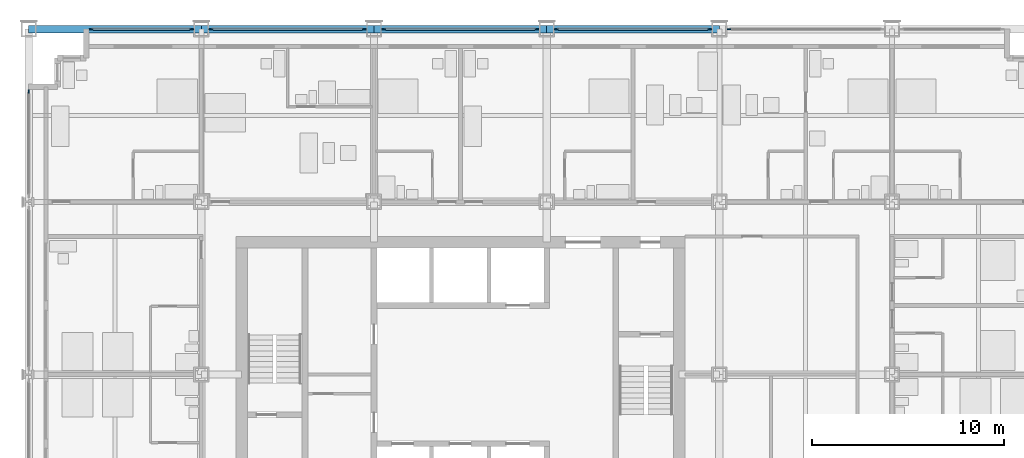
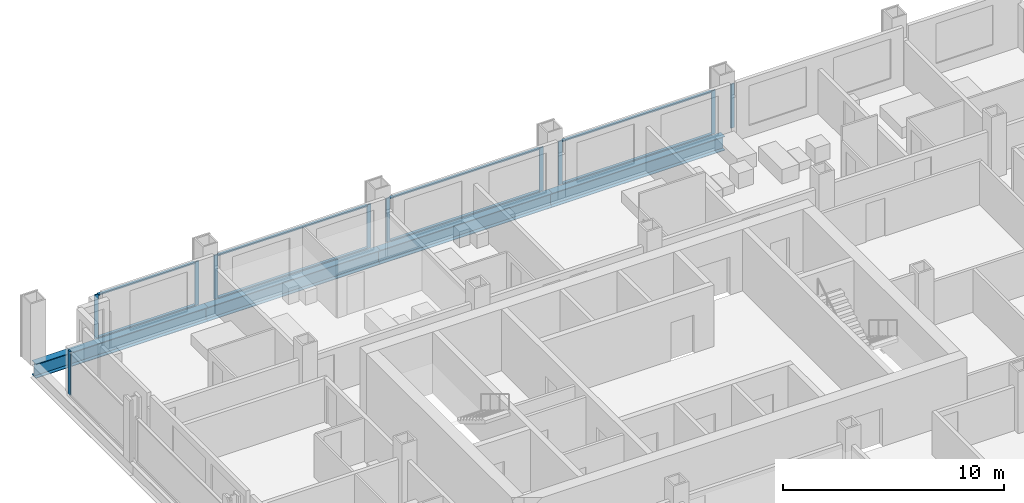
# One storey, part 7 of 18: 18 members, 4 beams, 6 elements without a shape of their own.
"""IFC4 building model written with IfcOpenShell, lengths in metres."""

import ifcopenshell
import ifcopenshell.guid

model = None  # the IFC model being written
_history = None  # IfcOwnerHistory: only IFC2X3 demands one
_inside = {}  # id of a spatial element -> (the spatial element, [elements in it])
_under = {}  # id of a project, library or spatial element -> (it, [spatial elements below it])
_declared = {}  # id of a project -> (the project, [libraries it declares])
_typed = {}  # id of a type object -> (the type object, [elements of that type])
_made_of = {}  # id of a material, layer set ... -> (it, [elements and type objects made of it])


def new_model(schema):
    """Start an empty IFC model of exactly this schema.

    Asked for "IFC4X3", IfcOpenShell would pick the latest addendum, in which some entities
    have other attributes; the version numbers below select the first issue.
    IFC2X3 requires an IfcOwnerHistory on every rooted entity: one is made here for all.
    """
    global model, _history
    if schema == "IFC4X3":
        model = ifcopenshell.file(schema_version=(4, 3, 0, 0))
    else:
        model = ifcopenshell.file(schema=schema)
    _inside.clear()
    _under.clear()
    _declared.clear()
    _typed.clear()
    _made_of.clear()
    _history = None
    if model.schema == "IFC2X3":
        org = make("IfcOrganization", Name="unknown")
        user = make(
            "IfcPersonAndOrganization",
            ThePerson=make("IfcPerson", FamilyName="unknown"),
            TheOrganization=org,
        )
        app = make(
            "IfcApplication",
            ApplicationDeveloper=org,
            Version="unknown",
            ApplicationFullName="unknown",
            ApplicationIdentifier="unknown",
        )
        _history = make(
            "IfcOwnerHistory",
            OwningUser=user,
            OwningApplication=app,
            ChangeAction="ADDED",
            CreationDate=0,
        )
    return model


def make(cls, **values):
    """One entity of the class cls with the attributes given. An attribute that is None is left unset."""
    return model.create_entity(
        cls, **{name: value for name, value in values.items() if value is not None}
    )


def rooted(cls, **values):
    """An entity with a GlobalId (a new one), such as an element, a storey or a relation."""
    return make(cls, GlobalId=ifcopenshell.guid.new(), OwnerHistory=_history, **values)


def si_unit(unit_type, name, prefix=None):
    """IfcSIUnit, for example si_unit("LENGTHUNIT", "METRE", prefix="MILLI")."""
    return make("IfcSIUnit", UnitType=unit_type, Prefix=prefix, Name=name)


def assignment(units):
    """IfcUnitAssignment: the units of a project."""
    return None if units is None else make("IfcUnitAssignment", Units=units)


def point(xyz):
    """IfcCartesianPoint."""
    return None if xyz is None else make("IfcCartesianPoint", Coordinates=xyz)


def direction(xyz):
    """IfcDirection."""
    return None if xyz is None else make("IfcDirection", DirectionRatios=xyz)


def frame(location, z_axis=None, x_axis=None):
    """IfcAxis2Placement3D, a coordinate frame: its origin and axes. An axis left out is left unset."""
    return make(
        "IfcAxis2Placement3D",
        Location=point(location),
        Axis=direction(z_axis),
        RefDirection=direction(x_axis),
    )


def frame_2d(location, x_axis=None):
    """IfcAxis2Placement2D, a coordinate frame in the plane: its origin and x axis."""
    return make(
        "IfcAxis2Placement2D", Location=point(location), RefDirection=direction(x_axis)
    )


def origin():
    """The frame at (0, 0, 0) with its axes left unset."""
    return frame((0.0, 0.0, 0.0))


def origin_2d():
    """The frame at (0, 0) in the plane with its x axis left unset."""
    return frame_2d((0.0, 0.0))


def place(relative_to, where):
    """IfcLocalPlacement: puts the frame where relative to a parent placement (None: the world)."""
    return make(
        "IfcLocalPlacement", PlacementRelTo=relative_to, RelativePlacement=where
    )


def context(
    kind, dimensions, precision=None, world=None, true_north=None, identifier=None
):
    """IfcGeometricRepresentationContext, for example the 3D "Model" context."""
    return make(
        "IfcGeometricRepresentationContext",
        ContextIdentifier=identifier,
        ContextType=kind,
        CoordinateSpaceDimension=dimensions,
        Precision=precision,
        WorldCoordinateSystem=world,
        TrueNorth=true_north,
    )


def subcontext(parent, identifier, kind, view, scale=None):
    """IfcGeometricRepresentationSubContext, for example "Body" below "Model"."""
    return make(
        "IfcGeometricRepresentationSubContext",
        ContextIdentifier=identifier,
        ContextType=kind,
        ParentContext=parent,
        TargetScale=scale,
        TargetView=view,
    )


def project(units=None, contexts=None):
    """IfcProject with its units and contexts."""
    return rooted(
        "IfcProject",
        Name="project",
        RepresentationContexts=contexts,
        UnitsInContext=assignment(units),
    )


def spatial(cls, under=None, at=None, **own):
    """A site, building, storey or space (cls), placed at a placement, below another one or the project."""
    s = rooted(cls, ObjectPlacement=at, **own)
    if under is not None:
        _under.setdefault(under.id(), (under, []))[1].append(s)
    return s


def profile(cls, at=None, kind="AREA", **sizes):
    """A parametric profile (cls). Its sizes go by their IFC names, for example OverallWidth=200.0."""
    return make(cls, ProfileType=kind, Position=at, **sizes)


def rectangle(**sizes):
    """IfcRectangleProfileDef."""
    return profile("IfcRectangleProfileDef", **sizes)


def i_section(**sizes):
    """IfcIShapeProfileDef."""
    return profile("IfcIShapeProfileDef", **sizes)


def extrude(swept, where, along, depth):
    """IfcExtrudedAreaSolid: the profile swept, set in the frame where, extruded along a direction by depth."""
    return make(
        "IfcExtrudedAreaSolid",
        SweptArea=swept,
        Position=where,
        ExtrudedDirection=direction(along),
        Depth=depth,
    )


def shape(context_of_items, identifier, shape_type, items):
    """IfcShapeRepresentation: the items that make up one representation, for example the "Body"."""
    return make(
        "IfcShapeRepresentation",
        ContextOfItems=context_of_items,
        RepresentationIdentifier=identifier,
        RepresentationType=shape_type,
        Items=items,
    )


def material(Name=None, Category=None):
    """IfcMaterial."""
    return make("IfcMaterial", Name=Name, Category=Category)


def material_profile(
    of_material, cross_section, Name=None, Category=None, Priority=None
):
    """IfcMaterialProfile: a cross section and its material."""
    return make(
        "IfcMaterialProfile",
        Name=Name,
        Material=of_material,
        Profile=cross_section,
        Priority=Priority,
        Category=Category,
    )


def profile_set(profiles, Name=None, composite=None):
    """IfcMaterialProfileSet."""
    return make(
        "IfcMaterialProfileSet",
        Name=Name,
        MaterialProfiles=profiles,
        CompositeProfile=composite,
    )


def made_of(thing, what):
    """Note that an element or type object is made of a material, layer set ...; save() writes the relation."""
    if what is not None:
        _made_of.setdefault(what.id(), (what, []))[1].append(thing)
    return thing


def type_object(cls, material=None, **own):
    """A type object (cls), such as IfcWallType, which elements share."""
    return made_of(rooted(cls, **own), material)


def element(
    cls,
    number,
    at=None,
    inside=None,
    cuts=None,
    type_object=None,
    material=None,
    context=None,
    identifier="Body",
    shape_type=None,
    held_by="IfcProductDefinitionShape",
    body=None,
    shapes=None,
    **own,
):
    """One element of the class cls, such as IfcWall. Its Tag is "e" and its number.

    at: its placement. inside: the storey or other place that contains it. cuts: it is an
    opening in that element (IfcRelVoidsElement). A single representation is given by context,
    identifier, shape_type and body (its items); several are given by shapes. held_by: the class
    of the entity that holds the representations. save() writes the other relations.
    """
    e = rooted(cls, Tag="e%d" % number, ObjectPlacement=at, **own)
    if body is not None:
        shapes = [shape(context, identifier, shape_type, body)]
    if shapes is not None:
        e.Representation = make(held_by, Representations=shapes)
    if inside is not None:
        _inside.setdefault(inside.id(), (inside, []))[1].append(e)
    if cuts is not None:
        rooted(
            "IfcRelVoidsElement", RelatingBuildingElement=cuts, RelatedOpeningElement=e
        )
    if type_object is not None:
        _typed.setdefault(type_object.id(), (type_object, []))[1].append(e)
    return made_of(e, material)


def aggregate(whole, parts):
    """IfcRelAggregates: a whole, such as a stair, and the parts it consists of."""
    return rooted("IfcRelAggregates", RelatingObject=whole, RelatedObjects=parts)


def save(model, path):
    """Write the relations noted so far, then the file.

    IfcRelAggregates (storeys below a building ...), IfcRelContainedInSpatialStructure (elements
    in a storey), IfcRelDefinesByType, IfcRelAssociatesMaterial and IfcRelDeclares: one each for
    every whole, place, type object, material and project.
    """
    for whole, parts in _under.values():
        aggregate(whole, parts)
    for where, things in _inside.values():
        rooted(
            "IfcRelContainedInSpatialStructure",
            RelatedElements=things,
            RelatingStructure=where,
        )
    for kind, things in _typed.values():
        rooted("IfcRelDefinesByType", RelatedObjects=things, RelatingType=kind)
    for what, things in _made_of.values():
        rooted("IfcRelAssociatesMaterial", RelatedObjects=things, RelatingMaterial=what)
    for by, libraries in _declared.values():
        rooted("IfcRelDeclares", RelatingContext=by, RelatedDefinitions=libraries)
    model.write(path)


model = new_model("IFC4")

# Units and contexts
model_context = context("Model", 3, precision=1e-05, world=origin(), true_north=direction((0.0, 1.0)))
body_context = subcontext(model_context, "Body", "Model", "MODEL_VIEW")
ifc_project = project(units=[si_unit("LENGTHUNIT", "METRE"), si_unit("AREAUNIT", "SQUARE_METRE"), si_unit("VOLUMEUNIT", "CUBIC_METRE"), si_unit("PLANEANGLEUNIT", "RADIAN"), si_unit("MASSUNIT", "GRAM", prefix="KILO")], contexts=[model_context])

# Site, building, storey
site_placement = place(None, origin())
site = spatial("IfcSite", under=ifc_project, at=site_placement, CompositionType="ELEMENT")
building_placement = place(site_placement, origin())
building = spatial("IfcBuilding", under=site, at=building_placement, Name="Loomwork Tower", CompositionType="ELEMENT")
storey_placement = place(building_placement, frame((0.0, 0.0, 75.60009765625)))
storey = spatial("IfcBuildingStorey", under=building, at=storey_placement, Name="L19", CompositionType="ELEMENT", Elevation=75.60009765625)

# Curtain wall, members
ifc_material_1 = material(Name="Aluminium curtain wall frame", Category="aluminium")
curtain_wall_type = type_object("IfcCurtainWallType", Name="Outer skin glazing hotel", PredefinedType="NOTDEFINED", material=ifc_material_1)
curtain_wall_1_placement = place(storey_placement, origin())
curtain_wall_1 = element("IfcCurtainWall", 1, at=curtain_wall_1_placement, inside=storey, type_object=curtain_wall_type, Name="Outer skin glazing hotel cw/N-0", PredefinedType="NOTDEFINED")
ifc_material_2 = material(Name="Aluminium curtain wall frame", Category="aluminium")
ifc_material_profile_1 = material_profile(ifc_material_2, rectangle(XDim=0.06494140625, YDim=0.199951171875, at=origin_2d()), Name="AL 65x200")
ifc_profile_set_1 = profile_set([ifc_material_profile_1], Name="Aluminium curtain wall frame")
member_type_1 = type_object("IfcMemberType", Name="Outer skin glazing hotel mullion", PredefinedType="MULLION", material=ifc_profile_set_1)
member_1_placement = place(storey_placement, frame((8.5, 36.0, 0.0), z_axis=(0.0, 0.0, 1.0), x_axis=(0.0, -1.0, 0.0)))
member_1 = element("IfcMember", 2, at=member_1_placement, type_object=member_type_1, Name="CW1 mullion 1", PredefinedType="MULLION", context=body_context, shape_type="SweptSolid", body=[
    extrude(rectangle(XDim=0.06494140625, YDim=0.199951171875, at=origin_2d()), origin(), (0.0, 0.0, 1.0), 2.420166015625),
])
member_2_placement = place(storey_placement, frame((3.25, 36.0, 0.0), z_axis=(0.0, 0.0, 1.0), x_axis=(0.0, -1.0, 0.0)))
member_2 = element("IfcMember", 3, at=member_2_placement, type_object=member_type_1, Name="CW1 mullion 2", PredefinedType="MULLION", context=body_context, shape_type="SweptSolid", body=[
    extrude(rectangle(XDim=0.06494140625, YDim=0.199951171875, at=origin_2d()), origin(), (0.0, 0.0, 1.0), 2.420166015625),
])

curtain_wall_2_placement = place(storey_placement, origin())
curtain_wall_2 = element("IfcCurtainWall", 4, at=curtain_wall_2_placement, inside=storey, type_object=curtain_wall_type, Name="Outer skin glazing hotel cw/N-9", PredefinedType="NOTDEFINED")
member_3_placement = place(storey_placement, frame((17.5, 36.0, 0.0), z_axis=(0.0, 0.0, 1.0), x_axis=(0.0, -1.0, 0.0)))
member_3 = element("IfcMember", 5, at=member_3_placement, type_object=member_type_1, Name="CW1 mullion 1", PredefinedType="MULLION", context=body_context, shape_type="SweptSolid", body=[
    extrude(rectangle(XDim=0.06494140625, YDim=0.199951171875, at=origin_2d()), origin(), (0.0, 0.0, 1.0), 2.420166015625),
])
member_4_placement = place(storey_placement, frame((9.5, 36.0, 0.0), z_axis=(0.0, 0.0, 1.0), x_axis=(0.0, -1.0, 0.0)))
member_4 = element("IfcMember", 6, at=member_4_placement, type_object=member_type_1, Name="CW1 mullion 2", PredefinedType="MULLION", context=body_context, shape_type="SweptSolid", body=[
    extrude(rectangle(XDim=0.06494140625, YDim=0.199951171875, at=origin_2d()), origin(), (0.0, 0.0, 1.0), 2.420166015625),
])

curtain_wall_3_placement = place(storey_placement, origin())
curtain_wall_3 = element("IfcCurtainWall", 7, at=curtain_wall_3_placement, inside=storey, type_object=curtain_wall_type, Name="Outer skin glazing hotel cw/N-18", PredefinedType="NOTDEFINED")
member_5_placement = place(storey_placement, frame((26.5, 36.0, 0.0), z_axis=(0.0, 0.0, 1.0), x_axis=(0.0, -1.0, 0.0)))
member_5 = element("IfcMember", 8, at=member_5_placement, type_object=member_type_1, Name="CW1 mullion 1", PredefinedType="MULLION", context=body_context, shape_type="SweptSolid", body=[
    extrude(rectangle(XDim=0.06494140625, YDim=0.199951171875, at=origin_2d()), origin(), (0.0, 0.0, 1.0), 2.420166015625),
])
member_6_placement = place(storey_placement, frame((18.5, 36.0, 0.0), z_axis=(0.0, 0.0, 1.0), x_axis=(0.0, -1.0, 0.0)))
member_6 = element("IfcMember", 9, at=member_6_placement, type_object=member_type_1, Name="CW1 mullion 2", PredefinedType="MULLION", context=body_context, shape_type="SweptSolid", body=[
    extrude(rectangle(XDim=0.06494140625, YDim=0.199951171875, at=origin_2d()), origin(), (0.0, 0.0, 1.0), 2.420166015625),
])

curtain_wall_4_placement = place(storey_placement, origin())
curtain_wall_4 = element("IfcCurtainWall", 10, at=curtain_wall_4_placement, inside=storey, type_object=curtain_wall_type, Name="Outer skin glazing hotel cw/N-27", PredefinedType="NOTDEFINED")
member_7_placement = place(storey_placement, frame((35.5, 36.0, 0.0), z_axis=(0.0, 0.0, 1.0), x_axis=(0.0, -1.0, 0.0)))
member_7 = element("IfcMember", 11, at=member_7_placement, type_object=member_type_1, Name="CW1 mullion 1", PredefinedType="MULLION", context=body_context, shape_type="SweptSolid", body=[
    extrude(rectangle(XDim=0.06494140625, YDim=0.199951171875, at=origin_2d()), origin(), (0.0, 0.0, 1.0), 2.420166015625),
])
member_8_placement = place(storey_placement, frame((27.5, 36.0, 0.0), z_axis=(0.0, 0.0, 1.0), x_axis=(0.0, -1.0, 0.0)))
member_8 = element("IfcMember", 12, at=member_8_placement, type_object=member_type_1, Name="CW1 mullion 2", PredefinedType="MULLION", context=body_context, shape_type="SweptSolid", body=[
    extrude(rectangle(XDim=0.06494140625, YDim=0.199951171875, at=origin_2d()), origin(), (0.0, 0.0, 1.0), 2.420166015625),
])

# Curtain wall, member
curtain_wall_5_placement = place(storey_placement, origin())
curtain_wall_5 = element("IfcCurtainWall", 13, at=curtain_wall_5_placement, inside=storey, type_object=curtain_wall_type, Name="Outer skin glazing hotel cw/N-36", PredefinedType="NOTDEFINED")
member_9_placement = place(storey_placement, frame((36.5, 36.0, 0.0), z_axis=(0.0, 0.0, 1.0), x_axis=(0.0, -1.0, 0.0)))
member_9 = element("IfcMember", 14, at=member_9_placement, type_object=member_type_1, Name="CW1 mullion 2", PredefinedType="MULLION", context=body_context, shape_type="SweptSolid", body=[
    extrude(rectangle(XDim=0.06494140625, YDim=0.199951171875, at=origin_2d()), origin(), (0.0, 0.0, 1.0), 2.420166015625),
])
aggregate(curtain_wall_5, [member_9])

curtain_wall_6_placement = place(storey_placement, origin())
curtain_wall_6 = element("IfcCurtainWall", 15, at=curtain_wall_6_placement, inside=storey, type_object=curtain_wall_type, Name="Outer skin glazing hotel cw/W-27", PredefinedType="NOTDEFINED")
member_10_placement = place(storey_placement, frame((0.0, 32.75, 0.0), z_axis=(0.0, 0.0, 1.0), x_axis=(1.0, 0.0, 0.0)))
member_10 = element("IfcMember", 16, at=member_10_placement, type_object=member_type_1, Name="CW1 mullion 1", PredefinedType="MULLION", context=body_context, shape_type="SweptSolid", body=[
    extrude(rectangle(XDim=0.06494140625, YDim=0.199951171875, at=origin_2d()), origin(), (0.0, 0.0, 1.0), 2.420166015625),
])
aggregate(curtain_wall_6, [member_10])

# Member
ifc_material_3 = material(Name="Aluminium curtain wall frame", Category="aluminium")
ifc_material_profile_2 = material_profile(ifc_material_3, rectangle(XDim=0.14990234375, YDim=0.06494140625, at=origin_2d()), Name="AL 65x150")
ifc_profile_set_2 = profile_set([ifc_material_profile_2], Name="Aluminium curtain wall frame")
member_type_2 = type_object("IfcMemberType", Name="Outer skin glazing hotel transom", PredefinedType="USERDEFINED", material=ifc_profile_set_2)
member_11_placement = place(storey_placement, frame((8.39990234375, 36.0, 0.032470703125), z_axis=(-1.0, 0.0, 0.0), x_axis=(0.0, -1.0, 0.0)))
member_11 = element("IfcMember", 17, at=member_11_placement, type_object=member_type_2, Name="CW1 transom 1.1", ObjectType="TRANSOM", PredefinedType="USERDEFINED", context=body_context, shape_type="SweptSolid", body=[
    extrude(rectangle(XDim=0.14990234375, YDim=0.06494140625, at=origin_2d()), origin(), (0.0, 0.0, 1.0), 5.0498046875),
])

member_12_placement = place(storey_placement, frame((8.39990234375, 36.0, 2.3876953125), z_axis=(-1.0, 0.0, 0.0), x_axis=(0.0, -1.0, 0.0)))
member_12 = element("IfcMember", 18, at=member_12_placement, type_object=member_type_2, Name="CW1 transom 1.2", ObjectType="TRANSOM", PredefinedType="USERDEFINED", context=body_context, shape_type="SweptSolid", body=[
    extrude(rectangle(XDim=0.14990234375, YDim=0.06494140625, at=origin_2d()), origin(), (0.0, 0.0, 1.0), 5.0498046875),
])

aggregate(curtain_wall_1, [member_1, member_2, member_11, member_12])

member_13_placement = place(storey_placement, frame((17.39990234375, 36.0, 0.032470703125), z_axis=(-1.0, 0.0, 0.0), x_axis=(0.0, -1.0, 0.0)))
member_13 = element("IfcMember", 19, at=member_13_placement, type_object=member_type_2, Name="CW1 transom 1.1", ObjectType="TRANSOM", PredefinedType="USERDEFINED", context=body_context, shape_type="SweptSolid", body=[
    extrude(rectangle(XDim=0.14990234375, YDim=0.06494140625, at=origin_2d()), origin(), (0.0, 0.0, 1.0), 7.7998046875),
])

member_14_placement = place(storey_placement, frame((17.39990234375, 36.0, 2.3876953125), z_axis=(-1.0, 0.0, 0.0), x_axis=(0.0, -1.0, 0.0)))
member_14 = element("IfcMember", 20, at=member_14_placement, type_object=member_type_2, Name="CW1 transom 1.2", ObjectType="TRANSOM", PredefinedType="USERDEFINED", context=body_context, shape_type="SweptSolid", body=[
    extrude(rectangle(XDim=0.14990234375, YDim=0.06494140625, at=origin_2d()), origin(), (0.0, 0.0, 1.0), 7.7998046875),
])

aggregate(curtain_wall_2, [member_3, member_4, member_13, member_14])

member_15_placement = place(storey_placement, frame((26.39990234375, 36.0, 0.032470703125), z_axis=(-1.0, 0.0, 0.0), x_axis=(0.0, -1.0, 0.0)))
member_15 = element("IfcMember", 21, at=member_15_placement, type_object=member_type_2, Name="CW1 transom 1.1", ObjectType="TRANSOM", PredefinedType="USERDEFINED", context=body_context, shape_type="SweptSolid", body=[
    extrude(rectangle(XDim=0.14990234375, YDim=0.06494140625, at=origin_2d()), origin(), (0.0, 0.0, 1.0), 7.7998046875),
])

member_16_placement = place(storey_placement, frame((26.39990234375, 36.0, 2.3876953125), z_axis=(-1.0, 0.0, 0.0), x_axis=(0.0, -1.0, 0.0)))
member_16 = element("IfcMember", 22, at=member_16_placement, type_object=member_type_2, Name="CW1 transom 1.2", ObjectType="TRANSOM", PredefinedType="USERDEFINED", context=body_context, shape_type="SweptSolid", body=[
    extrude(rectangle(XDim=0.14990234375, YDim=0.06494140625, at=origin_2d()), origin(), (0.0, 0.0, 1.0), 7.7998046875),
])

aggregate(curtain_wall_3, [member_5, member_6, member_15, member_16])

member_17_placement = place(storey_placement, frame((35.39990234375, 36.0, 0.032470703125), z_axis=(-1.0, 0.0, 0.0), x_axis=(0.0, -1.0, 0.0)))
member_17 = element("IfcMember", 23, at=member_17_placement, type_object=member_type_2, Name="CW1 transom 1.1", ObjectType="TRANSOM", PredefinedType="USERDEFINED", context=body_context, shape_type="SweptSolid", body=[
    extrude(rectangle(XDim=0.14990234375, YDim=0.06494140625, at=origin_2d()), origin(), (0.0, 0.0, 1.0), 7.7998046875),
])

member_18_placement = place(storey_placement, frame((35.39990234375, 36.0, 2.3876953125), z_axis=(-1.0, 0.0, 0.0), x_axis=(0.0, -1.0, 0.0)))
member_18 = element("IfcMember", 24, at=member_18_placement, type_object=member_type_2, Name="CW1 transom 1.2", ObjectType="TRANSOM", PredefinedType="USERDEFINED", context=body_context, shape_type="SweptSolid", body=[
    extrude(rectangle(XDim=0.14990234375, YDim=0.06494140625, at=origin_2d()), origin(), (0.0, 0.0, 1.0), 7.7998046875),
])

aggregate(curtain_wall_4, [member_7, member_8, member_17, member_18])

# Beams
ifc_material_4 = material(Name="Steel ASTM A992", Category="steel")
ifc_material_profile_3 = material_profile(ifc_material_4, i_section(OverallWidth=0.381103515625, OverallDepth=0.77978515625, WebThickness=0.01806640625, FlangeThickness=0.0302734375, at=origin_2d()), Name="W30x191")
ifc_profile_set_3 = profile_set([ifc_material_profile_3], Name="Steel ASTM A992")
beam_type = type_object("IfcBeamType", Name="SPANDREL GIRDER W30x191", PredefinedType="SPANDREL", material=ifc_profile_set_3)
for number, where, z_axis, x_axis, name in (
    (25, (0.0, 36.0, -0.590087890625), (1.0, 0.0, 0.0), (0.0, 1.0, 0.0), "Spandrel Girder H/2-H/3 L19"),
    (26, (9.0, 36.0, -0.590087890625), (1.0, 0.0, 0.0), (0.0, 1.0, 0.0), "Spandrel Girder H/3-H/4 L19"),
    (27, (18.0, 36.0, -0.590087890625), (1.0, 0.0, 0.0), (0.0, 1.0, 0.0), "Spandrel Girder H/4-H/5 L19"),
    (28, (27.0, 36.0, -0.590087890625), (1.0, 0.0, 0.0), (0.0, 1.0, 0.0), "Spandrel Girder H/5-H/6 L19"),
):
    element("IfcBeam", number, at=place(storey_placement, frame(where, z_axis=z_axis, x_axis=x_axis)), inside=storey, type_object=beam_type, Name=name, PredefinedType="SPANDREL", context=body_context, shape_type="SweptSolid", body=[
        extrude(i_section(OverallWidth=0.381103515625, OverallDepth=0.77978515625, WebThickness=0.01806640625, FlangeThickness=0.0302734375, at=origin_2d()), origin(), (0.0, 0.0, 1.0), 9.0),
    ])

save(model, "model.ifc")
